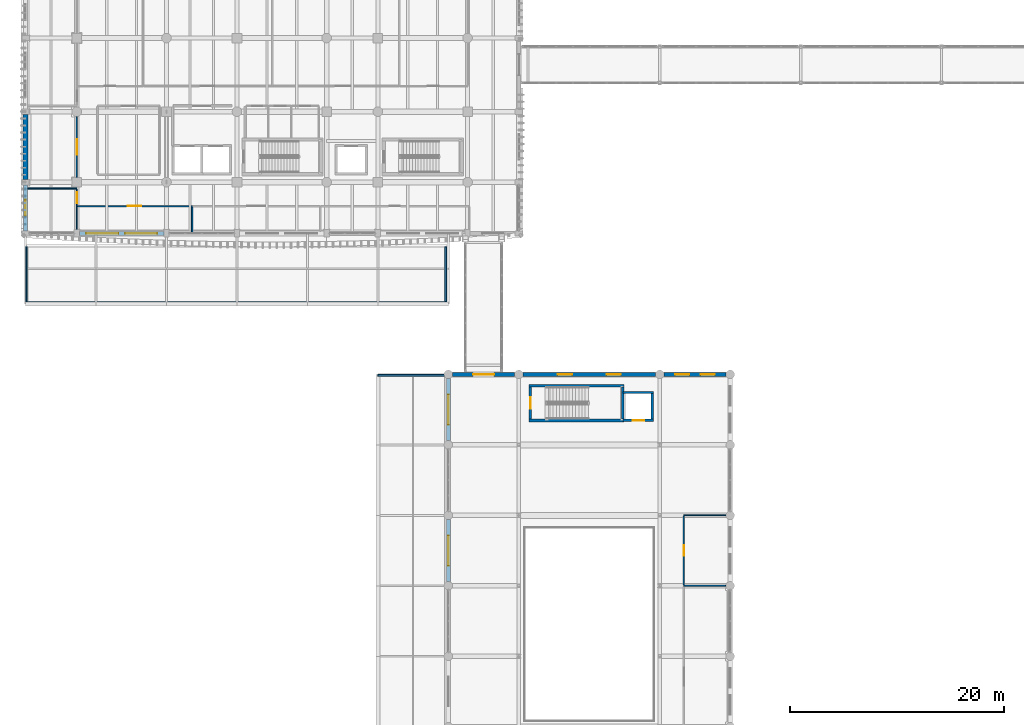
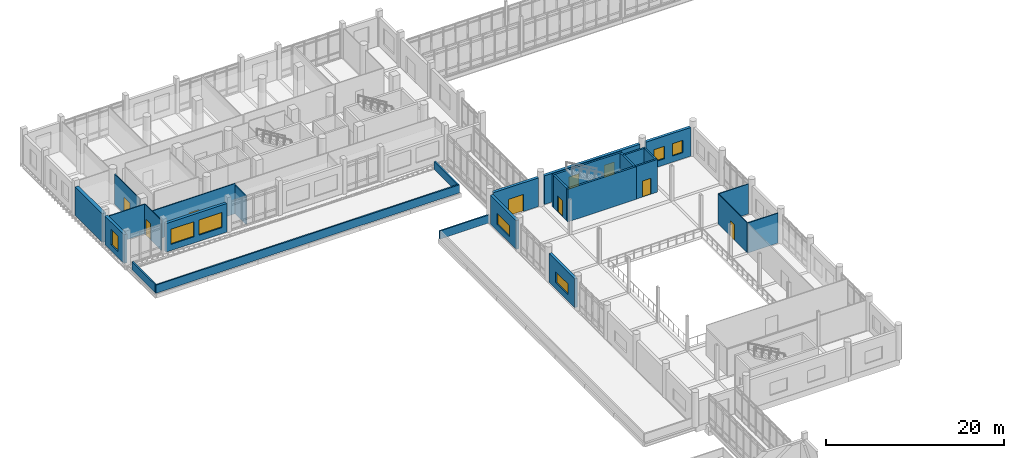
# One storey, part 90 of 125: 27 walls, 9 windows, 7 doors, 16 openings.
"""IFC4 building model written with IfcOpenShell, lengths in metres."""

from ifc_helpers import new_model, si_unit, direction, frame, frame_2d, origin, place, context, subcontext, project, spatial, rectangle, extrude, material, layer, layer_set, type_object, element, fill, save


model = new_model("IFC4")

# Units and contexts
model_context = context("Model", 3, precision=1e-05, world=origin(), true_north=direction((0.0, 1.0)))
body_context = subcontext(model_context, "Body", "Model", "MODEL_VIEW")
ifc_project = project(units=[si_unit("LENGTHUNIT", "METRE"), si_unit("AREAUNIT", "SQUARE_METRE"), si_unit("VOLUMEUNIT", "CUBIC_METRE"), si_unit("PLANEANGLEUNIT", "RADIAN"), si_unit("MASSUNIT", "GRAM", prefix="KILO")], contexts=[model_context])

# Site, building, storey
site_placement = place(None, origin())
site = spatial("IfcSite", under=ifc_project, at=site_placement, CompositionType="ELEMENT")
building_placement = place(site_placement, origin())
building = spatial("IfcBuilding", under=site, at=building_placement, Name="Dornvale Research Institute", CompositionType="ELEMENT")
storey_placement = place(building_placement, frame((0.0, 0.0, 5.39990234375)))
storey = spatial("IfcBuildingStorey", under=building, at=storey_placement, Name="L01", CompositionType="ELEMENT", Elevation=5.39990234375)

# Walls
ifc_material_1 = material(Name="Concrete f'c 40 MPa (C32/40)", Category="concrete")
ifc_layer_1 = layer(ifc_material_1, 0.179931640625)
ifc_layer_set_1 = layer_set([ifc_layer_1], Name="Concrete f'c 40 MPa (C32/40)")
wall_type_1 = type_object("IfcWallType", Name="Parapet_Terrace_180", PredefinedType="PARAPET", material=ifc_layer_set_1)
wall_1_placement = place(storey_placement, frame((0.0, 92.489990234375, 0.0), z_axis=(0.0, 0.0, 1.0), x_axis=(1.0, 0.0, 0.0)))
element("IfcWall", 1, at=wall_1_placement, inside=storey, type_object=wall_type_1, Name="L01 V6-N parapet S", PredefinedType="PARAPET", context=body_context, shape_type="SweptSolid", body=[
    extrude(rectangle(XDim=39.449951171875, YDim=0.179931640625, at=frame_2d((19.72509765625, 0.0))), origin(), (0.0, 0.0, 1.0), 1.1201171875),
])
for number, where, z_axis, x_axis, name in (
    (2, (0.090087890625, 92.580078125, 0.0), (0.0, 0.0, 1.0), (0.0, 1.0, 0.0), "L01 V6-N parapet W"),
    (3, (39.360107421875, 92.580078125, 0.0), (0.0, 0.0, 1.0), (0.0, 1.0, 0.0), "L01 V6-N parapet E"),
):
    element("IfcWall", number, at=place(storey_placement, frame(where, z_axis=z_axis, x_axis=x_axis)), inside=storey, type_object=wall_type_1, Name=name, PredefinedType="PARAPET", context=body_context, shape_type="SweptSolid", body=[
        extrude(rectangle(XDim=5.18994140625, YDim=0.179931640625, at=frame_2d((2.594970703125, 0.0))), origin(), (0.0, 0.0, 1.0), 1.1201171875),
    ])
wall_2_placement = place(storey_placement, frame((33.0, 85.7099609375, 0.0), z_axis=(0.0, 0.0, 1.0), x_axis=(1.0, 0.0, 0.0)))
element("IfcWall", 4, at=wall_2_placement, inside=storey, type_object=wall_type_1, Name="L01 V6-E parapet N", PredefinedType="PARAPET", context=body_context, shape_type="SweptSolid", body=[
    extrude(rectangle(XDim=6.449951171875, YDim=0.179931640625, at=frame_2d((3.22509765625, 0.0))), origin(), (0.0, 0.0, 1.0), 1.1201171875),
])
ifc_material_2 = material(Name="Acoustic Insulated Double-Stud Laboratory Partition")
ifc_layer_2 = layer(ifc_material_2, 0.1201171875)
ifc_layer_set_2 = layer_set([ifc_layer_2], Name="Acoustic Insulated Double-Stud Laboratory Partition")
wall_type_2 = type_object("IfcWallType", Name="Partition_Dry_120", PredefinedType="PARTITIONING", material=ifc_layer_set_2)
wall_3_placement = place(storey_placement, frame((0.195068359375, 103.199951171875, 0.0), z_axis=(0.0, 0.0, 1.0), x_axis=(1.0, 0.0, 0.0)))
element("IfcWall", 5, at=wall_3_placement, inside=storey, type_object=wall_type_2, Name="L01 V5 interior partition #159", PredefinedType="PARTITIONING", context=body_context, shape_type="SweptSolid", body=[
    extrude(rectangle(XDim=4.60498046875, YDim=0.1201171875, at=frame_2d((2.302490234375, 0.0))), origin(), (0.0, 0.0, 1.0), 4.080078125),
])

# Wall, opening, door
wall_4_placement = place(storey_placement, frame((4.800048828125, 104.27001953125, 0.0), z_axis=(0.0, 0.0, 1.0), x_axis=(0.0, 1.0, 0.0)))
wall_4 = element("IfcWall", 6, at=wall_4_placement, inside=storey, type_object=wall_type_2, Name="L01 V5 interior partition #161", PredefinedType="PARTITIONING", context=body_context, shape_type="SweptSolid", body=[
    extrude(rectangle(XDim=5.659912109375, YDim=0.1201171875, at=frame_2d((2.830078125, 0.0))), origin(), (0.0, 0.0, 1.0), 4.130126953125),
])
opening_1_placement = place(wall_4_placement, frame((2.110107421875, 0.0, 0.0)))
opening_1 = element("IfcOpeningElement", 7, at=opening_1_placement, cuts=wall_4, Name="Opening ID-07", PredefinedType="OPENING", context=body_context, shape_type="SweptSolid", body=[
    extrude(rectangle(XDim=1.43994140625, YDim=2.25, at=frame_2d((0.719970703125, 1.125))), frame((0.0, 0.074951171875, 0.0), z_axis=(0.0, -1.0, 0.0), x_axis=(1.0, 0.0, 0.0)), (0.0, 0.0, 1.0), 0.150146484375),
])
ifc_material_3 = material(Name="Insulated Fire-Rated Hollow Metal Door Assembly")
door_type_1 = type_object("IfcDoorType", Name="Door_DryLab_1440x2250", OperationType="SINGLE_SWING_LEFT", PredefinedType="DOOR", material=ifc_material_3)
door_1_placement = place(opening_1_placement, origin())
door_1 = element("IfcDoor", 8, at=door_1_placement, inside=storey, type_object=door_type_1, Name="L01 Bioinformatics Instrument Rack Alcove L01 door #65", OperationType="SINGLE_SWING_RIGHT", OverallHeight=2.25, OverallWidth=1.43994140625, PredefinedType="DOOR", context=body_context, shape_type="SweptSolid", body=[
    extrude(rectangle(XDim=1.43994140625, YDim=2.25, at=frame_2d((0.719970703125, 1.125))), frame((0.0, 0.02490234375, 0.0), z_axis=(0.0, -1.0, 0.0), x_axis=(1.0, 0.0, 0.0)), (0.0, 0.0, 1.0), 0.050048828125),
])
fill(opening_1, door_1)

wall_5_placement = place(storey_placement, frame((4.864990234375, 101.550048828125, 0.0), z_axis=(0.0, 0.0, 1.0), x_axis=(1.0, 0.0, 0.0)))
wall_5 = element("IfcWall", 9, at=wall_5_placement, inside=storey, type_object=wall_type_2, Name="L01 V5 interior partition #174", PredefinedType="PARTITIONING", context=body_context, shape_type="SweptSolid", body=[
    extrude(rectangle(XDim=10.735107421875, YDim=0.1201171875, at=frame_2d((5.36767578125, 0.0))), origin(), (0.0, 0.0, 1.0), 4.130126953125),
])
opening_2_placement = place(wall_5_placement, frame((4.705078125, 0.0, 0.0)))
opening_2 = element("IfcOpeningElement", 10, at=opening_2_placement, cuts=wall_5, Name="Opening ID-10", PredefinedType="OPENING", context=body_context, shape_type="SweptSolid", body=[
    extrude(rectangle(XDim=1.260009765625, YDim=2.199951171875, at=frame_2d((0.6298828125, 1.10009765625))), frame((0.0, 0.074951171875, 0.0), z_axis=(0.0, -1.0, 0.0), x_axis=(1.0, 0.0, 0.0)), (0.0, 0.0, 1.0), 0.150146484375),
])
ifc_material_4 = material(Name="Phenolic-Faced Solid-Core Laboratory Door Assembly")
door_type_2 = type_object("IfcDoorType", Name="Door_DryLab_1260x2200", OperationType="SINGLE_SWING_LEFT", PredefinedType="DOOR", material=ifc_material_4)
door_2_placement = place(opening_2_placement, origin())
door_2 = element("IfcDoor", 11, at=door_2_placement, inside=storey, type_object=door_type_2, Name="L01 Computational Genomics Laboratory door #72", OperationType="SINGLE_SWING_LEFT", OverallHeight=2.199951171875, OverallWidth=1.260009765625, PredefinedType="DOOR", context=body_context, shape_type="SweptSolid", body=[
    extrude(rectangle(XDim=1.260009765625, YDim=2.199951171875, at=frame_2d((0.6298828125, 1.10009765625))), frame((0.0, 0.02490234375, 0.0), z_axis=(0.0, -1.0, 0.0), x_axis=(1.0, 0.0, 0.0)), (0.0, 0.0, 1.0), 0.050048828125),
])
fill(opening_2, door_2)

# Walls
wall_6_placement = place(storey_placement, frame((15.60009765625, 99.0400390625, 0.0), z_axis=(0.0, 0.0, 1.0), x_axis=(0.0, 1.0, 0.0)))
element("IfcWall", 12, at=wall_6_placement, inside=storey, type_object=wall_type_2, Name="L01 V5 interior partition #175", PredefinedType="PARTITIONING", context=body_context, shape_type="SweptSolid", body=[
    extrude(rectangle(XDim=2.43505859375, YDim=0.1201171875, at=frame_2d((1.217529296875, 0.0))), origin(), (0.0, 0.0, 1.0), 3.93017578125),
])
wall_7_placement = place(storey_placement, frame((61.64990234375, 66.0, 0.0), z_axis=(0.0, 0.0, 1.0), x_axis=(1.0, 0.0, 0.0)))
element("IfcWall", 13, at=wall_7_placement, inside=storey, type_object=wall_type_2, Name="L01 V2 interior partition #228", PredefinedType="PARTITIONING", context=body_context, shape_type="SweptSolid", body=[
    extrude(rectangle(XDim=3.93017578125, YDim=0.1201171875, at=frame_2d((1.965087890625, 0.0))), origin(), (0.0, 0.0, 1.0), 4.130126953125),
])

# Wall, opening, door
ifc_material_5 = material(Name="Acoustic Insulated Double-Stud Laboratory Partition")
ifc_layer_3 = layer(ifc_material_5, 0.10009765625)
ifc_layer_set_3 = layer_set([ifc_layer_3], Name="Acoustic Insulated Double-Stud Laboratory Partition")
wall_type_3 = type_object("IfcWallType", Name="Partition_Office_100", PredefinedType="PARTITIONING", material=ifc_layer_set_3)
wall_8_placement = place(storey_placement, frame((4.800048828125, 99.3701171875, 0.0), z_axis=(0.0, 0.0, 1.0), x_axis=(0.0, 1.0, 0.0)))
wall_8 = element("IfcWall", 14, at=wall_8_placement, inside=storey, type_object=wall_type_3, Name="L01 V5 interior partition #173", PredefinedType="PARTITIONING", context=body_context, shape_type="SweptSolid", body=[
    extrude(rectangle(XDim=3.7548828125, YDim=0.10009765625, at=frame_2d((1.87744140625, 0.0))), origin(), (0.0, 0.0, 1.0), 4.130126953125),
])
opening_3_placement = place(wall_8_placement, frame((2.445068359375, 0.0, 0.0)))
opening_3 = element("IfcOpeningElement", 15, at=opening_3_placement, cuts=wall_8, Name="Opening ID-19", PredefinedType="OPENING", context=body_context, shape_type="SweptSolid", body=[
    extrude(rectangle(XDim=1.06005859375, YDim=2.199951171875, at=frame_2d((0.530029296875, 1.10009765625))), frame((0.0, 0.06494140625, 0.0), z_axis=(0.0, -1.0, 0.0), x_axis=(1.0, 0.0, 0.0)), (0.0, 0.0, 1.0), 0.130126953125),
])
ifc_material_6 = material(Name="Phenolic-Faced Solid-Core Laboratory Door Assembly")
door_type_3 = type_object("IfcDoorType", Name="Door_WriteUp_1060x2200", OperationType="SINGLE_SWING_LEFT", PredefinedType="DOOR", material=ifc_material_6)
door_3_placement = place(opening_3_placement, origin())
door_3 = element("IfcDoor", 16, at=door_3_placement, inside=storey, type_object=door_type_3, Name="L01 Research Instrument Study L01 door #71", OperationType="SINGLE_SWING_RIGHT", OverallHeight=2.199951171875, OverallWidth=1.06005859375, PredefinedType="DOOR", context=body_context, shape_type="SweptSolid", body=[
    extrude(rectangle(XDim=1.06005859375, YDim=2.199951171875, at=frame_2d((0.530029296875, 1.10009765625))), frame((0.0, 0.02490234375, 0.0), z_axis=(0.0, -1.0, 0.0), x_axis=(1.0, 0.0, 0.0)), (0.0, 0.0, 1.0), 0.050048828125),
])
fill(opening_3, door_3)

# Wall
wall_9_placement = place(storey_placement, frame((61.64990234375, 72.60009765625, 0.0), z_axis=(0.0, 0.0, 1.0), x_axis=(1.0, 0.0, 0.0)))
element("IfcWall", 17, at=wall_9_placement, inside=storey, type_object=wall_type_3, Name="L01 V2 interior partition #230", PredefinedType="PARTITIONING", context=body_context, shape_type="SweptSolid", body=[
    extrude(rectangle(XDim=3.93017578125, YDim=0.10009765625, at=frame_2d((1.965087890625, 0.0))), origin(), (0.0, 0.0, 1.0), 4.130126953125),
])

# Wall, opening, door
wall_10_placement = place(storey_placement, frame((61.64990234375, 66.074951171875, 0.0), z_axis=(0.0, 0.0, 1.0), x_axis=(0.0, 1.0, 0.0)))
wall_10 = element("IfcWall", 18, at=wall_10_placement, inside=storey, type_object=wall_type_3, Name="L01 V2 interior partition #231", PredefinedType="PARTITIONING", context=body_context, shape_type="SweptSolid", body=[
    extrude(rectangle(XDim=6.4599609375, YDim=0.10009765625, at=frame_2d((3.22998046875, 0.0))), origin(), (0.0, 0.0, 1.0), 4.130126953125),
])
opening_4_placement = place(wall_10_placement, frame((2.72509765625, 0.0, 0.0)))
opening_4 = element("IfcOpeningElement", 19, at=opening_4_placement, cuts=wall_10, Name="Opening ID-24", PredefinedType="OPENING", context=body_context, shape_type="SweptSolid", body=[
    extrude(rectangle(XDim=1.0, YDim=2.14990234375, at=frame_2d((0.5, 1.074951171875))), frame((0.0, 0.06494140625, 0.0), z_axis=(0.0, -1.0, 0.0), x_axis=(1.0, 0.0, 0.0)), (0.0, 0.0, 1.0), 0.130126953125),
])
ifc_material_7 = material(Name="Phenolic-Faced Solid-Core Laboratory Door Assembly")
door_type_4 = type_object("IfcDoorType", Name="Door_AccWC_1000x2150", OperationType="SINGLE_SWING_LEFT", PredefinedType="DOOR", material=ifc_material_7)
door_4_placement = place(opening_4_placement, origin())
door_4 = element("IfcDoor", 20, at=door_4_placement, inside=storey, type_object=door_type_4, Name="L01 Atrium Accessible Restroom L01 door #92", OperationType="SINGLE_SWING_LEFT", OverallHeight=2.14990234375, OverallWidth=1.0, PredefinedType="DOOR", context=body_context, shape_type="SweptSolid", body=[
    extrude(rectangle(XDim=1.0, YDim=2.14990234375, at=frame_2d((0.5, 1.074951171875))), frame((0.0, 0.02490234375, 0.0), z_axis=(0.0, -1.0, 0.0), x_axis=(1.0, 0.0, 0.0)), (0.0, 0.0, 1.0), 0.050048828125),
])
fill(opening_4, door_4)

# Walls
ifc_material_8 = material(Name="Concrete f'c 45 MPa (C35/45)", Category="concrete")
ifc_layer_4 = layer(ifc_material_8, 0.25)
ifc_layer_set_4 = layer_set([ifc_layer_4], Name="Concrete f'c 45 MPa (C35/45)")
wall_type_4 = type_object("IfcWallType", Name="ShearWall_Core_250", PredefinedType="SHEAR", material=ifc_layer_set_4)
for number, where, z_axis, x_axis, name in (
    (21, (47.14990234375, 81.47509765625, 0.0), (0.0, 0.0, 1.0), (1.0, 0.0, 0.0), "L01 ST-8 shaft shear wall south"),
    (22, (47.14990234375, 84.72509765625, 0.0), (0.0, 0.0, 1.0), (1.0, 0.0, 0.0), "L01 ST-8 shaft shear wall north"),
):
    element("IfcWall", number, at=place(storey_placement, frame(where, z_axis=z_axis, x_axis=x_axis)), inside=storey, type_object=wall_type_4, Name=name, PredefinedType="SHEAR", context=body_context, shape_type="SweptSolid", body=[
        extrude(rectangle(XDim=8.900146484375, YDim=0.25, at=frame_2d((4.4501953125, 0.0))), origin(), (0.0, 0.0, 1.0), 4.5),
    ])

# Wall, opening, door
wall_11_placement = place(storey_placement, frame((47.27490234375, 81.60009765625, 0.0), z_axis=(0.0, 0.0, 1.0), x_axis=(0.0, 1.0, 0.0)))
wall_11 = element("IfcWall", 23, at=wall_11_placement, inside=storey, type_object=wall_type_4, Name="L01 ST-8 shaft shear wall west", PredefinedType="SHEAR", context=body_context, shape_type="SweptSolid", body=[
    extrude(rectangle(XDim=3.0, YDim=0.25, at=frame_2d((1.5, 0.0))), origin(), (0.0, 0.0, 1.0), 4.5),
])
opening_5_placement = place(wall_11_placement, frame((0.9599609375, 0.0, 0.0)))
opening_5 = element("IfcOpeningElement", 24, at=opening_5_placement, cuts=wall_11, Name="Opening SD-02", PredefinedType="OPENING", context=body_context, shape_type="SweptSolid", body=[
    extrude(rectangle(XDim=1.080078125, YDim=2.199951171875, at=frame_2d((0.5400390625, 1.10009765625))), frame((0.0, 0.139892578125, 0.0), z_axis=(0.0, -1.0, 0.0), x_axis=(1.0, 0.0, 0.0)), (0.0, 0.0, 1.0), 0.280029296875),
])
ifc_material_9 = material(Name="Insulated Fire-Rated Hollow Metal Door Assembly")
door_type_5 = type_object("IfcDoorType", Name="Door_Stair_1080x2200", OperationType="SINGLE_SWING_LEFT", PredefinedType="DOOR", material=ifc_material_9)
door_5_placement = place(opening_5_placement, origin())
door_5 = element("IfcDoor", 25, at=door_5_placement, inside=storey, type_object=door_type_5, Name="L01 ST-8 exit stair door #56", OperationType="SINGLE_SWING_RIGHT", OverallHeight=2.199951171875, OverallWidth=1.080078125, PredefinedType="DOOR", context=body_context, shape_type="SweptSolid", body=[
    extrude(rectangle(XDim=1.080078125, YDim=2.199951171875, at=frame_2d((0.5400390625, 1.10009765625))), frame((0.0, 0.02490234375, 0.0), z_axis=(0.0, -1.0, 0.0), x_axis=(1.0, 0.0, 0.0)), (0.0, 0.0, 1.0), 0.050048828125),
])
fill(opening_5, door_5)

# Wall
wall_12_placement = place(storey_placement, frame((55.925048828125, 81.60009765625, 0.0), z_axis=(0.0, 0.0, 1.0), x_axis=(0.0, 1.0, 0.0)))
element("IfcWall", 26, at=wall_12_placement, inside=storey, type_object=wall_type_4, Name="L01 ST-8 shaft shear wall east", PredefinedType="SHEAR", context=body_context, shape_type="SweptSolid", body=[
    extrude(rectangle(XDim=3.0, YDim=0.25, at=frame_2d((1.5, 0.0))), origin(), (0.0, 0.0, 1.0), 4.5),
])

# Wall, opening, door
ifc_material_10 = material(Name="Concrete f'c 45 MPa (C35/45)", Category="concrete")
ifc_layer_5 = layer(ifc_material_10, 0.219970703125)
ifc_layer_set_5 = layer_set([ifc_layer_5], Name="Concrete f'c 45 MPa (C35/45)")
wall_type_5 = type_object("IfcWallType", Name="ShearWall_Shaft_220", PredefinedType="SHEAR", material=ifc_layer_set_5)
wall_13_placement = place(storey_placement, frame((55.97998046875, 81.489990234375, 0.0), z_axis=(0.0, 0.0, 1.0), x_axis=(1.0, 0.0, 0.0)))
wall_13 = element("IfcWall", 27, at=wall_13_placement, inside=storey, type_object=wall_type_5, Name="L01 LP3 elevator shaft wall south", PredefinedType="SHEAR", context=body_context, shape_type="SweptSolid", body=[
    extrude(rectangle(XDim=2.840087890625, YDim=0.219970703125, at=frame_2d((1.419921875, 0.0))), origin(), (0.0, 0.0, 1.0), 4.5),
])
opening_6_placement = place(wall_13_placement, frame((0.8701171875, 0.0, 0.0)))
opening_6 = element("IfcOpeningElement", 28, at=opening_6_placement, cuts=wall_13, Name="Opening LD-02", PredefinedType="OPENING", context=body_context, shape_type="SweptSolid", body=[
    extrude(rectangle(XDim=1.10009765625, YDim=2.199951171875, at=frame_2d((0.550048828125, 1.10009765625))), frame((0.0, 0.125, 0.0), z_axis=(0.0, -1.0, 0.0), x_axis=(1.0, 0.0, 0.0)), (0.0, 0.0, 1.0), 0.25),
])
ifc_material_11 = material(Name="Brushed Stainless Steel Sliding Elevator Landing Door", Category="steel")
door_type_6 = type_object("IfcDoorType", Name="Door_LiftLanding_Pass_1100x2200", OperationType="SINGLE_SWING_LEFT", PredefinedType="DOOR", material=ifc_material_11)
door_6_placement = place(opening_6_placement, origin())
door_6 = element("IfcDoor", 29, at=door_6_placement, inside=storey, type_object=door_type_6, Name="L01 LP3 sliding elevator landing door #59", OperationType="SLIDING_TO_LEFT", OverallHeight=2.199951171875, OverallWidth=1.10009765625, PredefinedType="DOOR", context=body_context, shape_type="SweptSolid", body=[
    extrude(rectangle(XDim=1.10009765625, YDim=2.199951171875, at=frame_2d((0.550048828125, 1.10009765625))), frame((0.0, 0.02490234375, 0.0), z_axis=(0.0, -1.0, 0.0), x_axis=(1.0, 0.0, 0.0)), (0.0, 0.0, 1.0), 0.050048828125),
])
fill(opening_6, door_6)

# Walls
wall_14_placement = place(storey_placement, frame((55.97998046875, 84.110107421875, 0.0), z_axis=(0.0, 0.0, 1.0), x_axis=(1.0, 0.0, 0.0)))
element("IfcWall", 30, at=wall_14_placement, inside=storey, type_object=wall_type_5, Name="L01 LP3 elevator shaft wall north", PredefinedType="SHEAR", context=body_context, shape_type="SweptSolid", body=[
    extrude(rectangle(XDim=2.840087890625, YDim=0.219970703125, at=frame_2d((1.419921875, 0.0))), origin(), (0.0, 0.0, 1.0), 4.5),
])
wall_15_placement = place(storey_placement, frame((58.7099609375, 81.60009765625, 0.0), z_axis=(0.0, 0.0, 1.0), x_axis=(0.0, 1.0, 0.0)))
element("IfcWall", 31, at=wall_15_placement, inside=storey, type_object=wall_type_5, Name="L01 LP3 elevator shaft wall east", PredefinedType="SHEAR", context=body_context, shape_type="SweptSolid", body=[
    extrude(rectangle(XDim=2.39990234375, YDim=0.219970703125, at=frame_2d((1.199951171875, 0.0))), origin(), (0.0, 0.0, 1.0), 4.5),
])
ifc_material_12 = material(Name="Precast Concrete f'c 40 MPa (C32/40) and Glazed Terracotta Backup Wall", Category="masonry")
ifc_layer_6 = layer(ifc_material_12, 0.449951171875)
ifc_layer_set_6 = layer_set([ifc_layer_6], Name="Precast Concrete f'c 40 MPa (C32/40) and Glazed Terracotta Backup Wall")
wall_type_6 = type_object("IfcWallType", Name="SolidWall_ShearBraceBay_450", PredefinedType="SOLIDWALL", material=ifc_layer_set_6)
wall_16_placement = place(storey_placement, frame((0.0, 104.050048828125, 0.0), z_axis=(0.0, 0.0, 1.0), x_axis=(0.0, 1.0, 0.0)))
element("IfcWall", 32, at=wall_16_placement, inside=storey, type_object=wall_type_6, Name="L01 V5 west exterior wall #304", PredefinedType="SOLIDWALL", context=body_context, shape_type="SweptSolid", body=[
    extrude(rectangle(XDim=6.099853515625, YDim=0.449951171875, at=frame_2d((3.0498046875, 0.0))), origin(), (0.0, 0.0, 1.0), 3.9501953125),
])

# Wall, opening, window
ifc_material_13 = material(Name="Catalan Pressed Brick and Insulated Cavity Assembly", Category="masonry")
ifc_layer_7 = layer(ifc_material_13, 0.360107421875)
ifc_layer_set_7 = layer_set([ifc_layer_7], Name="Catalan Pressed Brick and Insulated Cavity Assembly")
wall_type_7 = type_object("IfcWallType", Name="StandardWall_BrickCavity_360", PredefinedType="STANDARD", material=ifc_layer_set_7)
wall_17_placement = place(storey_placement, frame((39.60009765625, 66.39501953125, 0.0), z_axis=(0.0, 0.0, 1.0), x_axis=(0.0, 1.0, 0.0)))
wall_17 = element("IfcWall", 33, at=wall_17_placement, inside=storey, type_object=wall_type_7, Name="L01 V2 west exterior wall #68", PredefinedType="STANDARD", context=body_context, shape_type="SweptSolid", body=[
    extrude(rectangle(XDim=5.81005859375, YDim=0.360107421875, at=frame_2d((2.905029296875, 0.0))), origin(), (0.0, 0.0, 1.0), 3.9501953125),
])
opening_7_placement = place(wall_17_placement, frame((1.5048828125, 0.0, 0.85009765625)))
opening_7 = element("IfcOpeningElement", 34, at=opening_7_placement, cuts=wall_17, Name="Opening W-11", PredefinedType="OPENING", context=body_context, shape_type="SweptSolid", body=[
    extrude(rectangle(XDim=2.800048828125, YDim=1.5, at=frame_2d((1.39990234375, 0.75))), frame((0.0, 0.195068359375, 0.0), z_axis=(0.0, -1.0, 0.0), x_axis=(1.0, 0.0, 0.0)), (0.0, 0.0, 1.0), 0.39013671875),
])
ifc_material_14 = material(Name="Low-E Argon Double Insulating Glazing Unit", Category="glass")
window_type_1 = type_object("IfcWindowType", Name="Window_Alu_2800x1500_11", PartitioningType="DOUBLE_PANEL_VERTICAL", PredefinedType="WINDOW", material=ifc_material_14)
window_1_placement = place(opening_7_placement, origin())
window_1 = element("IfcWindow", 35, at=window_1_placement, inside=storey, type_object=window_type_1, Name="L01 V2 facade window W-11 #82", OverallHeight=1.5, OverallWidth=2.800048828125, PartitioningType="DOUBLE_PANEL_VERTICAL", PredefinedType="WINDOW", context=body_context, shape_type="SweptSolid", body=[
    extrude(rectangle(XDim=2.800048828125, YDim=1.5, at=frame_2d((1.39990234375, 0.75))), frame((0.0, 0.030029296875, 0.0), z_axis=(0.0, -1.0, 0.0), x_axis=(1.0, 0.0, 0.0)), (0.0, 0.0, 1.0), 0.06005859375),
])
fill(opening_7, window_1)

wall_18_placement = place(storey_placement, frame((39.60009765625, 79.594970703125, 0.0), z_axis=(0.0, 0.0, 1.0), x_axis=(0.0, 1.0, 0.0)))
wall_18 = element("IfcWall", 36, at=wall_18_placement, inside=storey, type_object=wall_type_7, Name="L01 V2 west exterior wall #69", PredefinedType="STANDARD", context=body_context, shape_type="SweptSolid", body=[
    extrude(rectangle(XDim=5.81005859375, YDim=0.360107421875, at=frame_2d((2.905029296875, 0.0))), origin(), (0.0, 0.0, 1.0), 3.9501953125),
])
opening_8_placement = place(wall_18_placement, frame((1.5048828125, 0.0, 0.85009765625)))
opening_8 = element("IfcOpeningElement", 37, at=opening_8_placement, cuts=wall_18, Name="Opening W-11", PredefinedType="OPENING", context=body_context, shape_type="SweptSolid", body=[
    extrude(rectangle(XDim=2.800048828125, YDim=1.5, at=frame_2d((1.39990234375, 0.75))), frame((0.0, 0.195068359375, 0.0), z_axis=(0.0, -1.0, 0.0), x_axis=(1.0, 0.0, 0.0)), (0.0, 0.0, 1.0), 0.39013671875),
])
window_2_placement = place(opening_8_placement, origin())
window_2 = element("IfcWindow", 38, at=window_2_placement, inside=storey, type_object=window_type_1, Name="L01 V2 facade window W-11 #83", OverallHeight=1.5, OverallWidth=2.800048828125, PartitioningType="DOUBLE_PANEL_VERTICAL", PredefinedType="WINDOW", context=body_context, shape_type="SweptSolid", body=[
    extrude(rectangle(XDim=2.800048828125, YDim=1.5, at=frame_2d((1.39990234375, 0.75))), frame((0.0, 0.030029296875, 0.0), z_axis=(0.0, -1.0, 0.0), x_axis=(1.0, 0.0, 0.0)), (0.0, 0.0, 1.0), 0.06005859375),
])
fill(opening_8, window_2)

# Wall, opening, door
wall_19_placement = place(storey_placement, frame((39.9951171875, 85.800048828125, 0.0), z_axis=(0.0, 0.0, 1.0), x_axis=(1.0, 0.0, 0.0)))
wall_19 = element("IfcWall", 39, at=wall_19_placement, inside=storey, type_object=wall_type_7, Name="L01 V2 north exterior wall #70", PredefinedType="STANDARD", context=body_context, shape_type="SweptSolid", body=[
    extrude(rectangle(XDim=5.809814453125, YDim=0.360107421875, at=frame_2d((2.90478515625, 0.0))), origin(), (0.0, 0.0, 1.0), 3.9501953125),
])
opening_9_placement = place(wall_19_placement, frame((1.929931640625, 0.0, 0.0)))
opening_9 = element("IfcOpeningElement", 40, at=opening_9_placement, cuts=wall_19, Name="Opening BD-01", PredefinedType="OPENING", context=body_context, shape_type="SweptSolid", body=[
    extrude(rectangle(XDim=1.949951171875, YDim=2.35009765625, at=frame_2d((0.97509765625, 1.175048828125))), frame((0.0, 0.195068359375, 0.0), z_axis=(0.0, -1.0, 0.0), x_axis=(1.0, 0.0, 0.0)), (0.0, 0.0, 1.0), 0.39013671875),
])
ifc_material_15 = material(Name="Galvanized Hollow Metal Insulated Door Assembly")
door_type_7 = type_object("IfcDoorType", Name="Door_BridgeJoint_1950x2350", OperationType="SINGLE_SWING_LEFT", PredefinedType="DOOR", material=ifc_material_15)
door_7_placement = place(opening_9_placement, origin())
door_7 = element("IfcDoor", 41, at=door_7_placement, inside=storey, type_object=door_type_7, Name="L01 V2 skybridge door BD-01 #10", OperationType="DOUBLE_DOOR_SINGLE_SWING", OverallHeight=2.35009765625, OverallWidth=1.949951171875, PredefinedType="DOOR", context=body_context, shape_type="SweptSolid", body=[
    extrude(rectangle(XDim=1.949951171875, YDim=2.35009765625, at=frame_2d((0.97509765625, 1.175048828125))), frame((0.0, 0.02490234375, 0.0), z_axis=(0.0, -1.0, 0.0), x_axis=(1.0, 0.0, 0.0)), (0.0, 0.0, 1.0), 0.050048828125),
])
fill(opening_9, door_7)

# Wall, openings, windows
wall_20_placement = place(storey_placement, frame((46.594970703125, 85.800048828125, 0.0), z_axis=(0.0, 0.0, 1.0), x_axis=(1.0, 0.0, 0.0)))
wall_20 = element("IfcWall", 42, at=wall_20_placement, inside=storey, type_object=wall_type_7, Name="L01 V2 north exterior wall #71", PredefinedType="STANDARD", context=body_context, shape_type="SweptSolid", body=[
    extrude(rectangle(XDim=12.409912109375, YDim=0.360107421875, at=frame_2d((6.205078125, 0.0))), origin(), (0.0, 0.0, 1.0), 3.9501953125),
])
opening_10_placement = place(wall_20_placement, frame((3.23681640625, 0.0, 0.85009765625)))
opening_10 = element("IfcOpeningElement", 43, at=opening_10_placement, cuts=wall_20, Name="Opening W-14", PredefinedType="OPENING", context=body_context, shape_type="SweptSolid", body=[
    extrude(rectangle(XDim=1.35009765625, YDim=1.699951171875, at=frame_2d((0.675048828125, 0.85009765625))), frame((0.0, 0.195068359375, 0.0), z_axis=(0.0, -1.0, 0.0), x_axis=(1.0, 0.0, 0.0)), (0.0, 0.0, 1.0), 0.39013671875),
])
opening_11_placement = place(wall_20_placement, frame((7.823486328125, 0.0, 0.85009765625)))
opening_11 = element("IfcOpeningElement", 44, at=opening_11_placement, cuts=wall_20, Name="Opening W-14", PredefinedType="OPENING", context=body_context, shape_type="SweptSolid", body=[
    extrude(rectangle(XDim=1.35009765625, YDim=1.699951171875, at=frame_2d((0.675048828125, 0.85009765625))), frame((0.0, 0.195068359375, 0.0), z_axis=(0.0, -1.0, 0.0), x_axis=(1.0, 0.0, 0.0)), (0.0, 0.0, 1.0), 0.39013671875),
])
ifc_material_16 = material(Name="Low-E Argon Double Insulating Glazing Unit", Category="glass")
window_type_2 = type_object("IfcWindowType", Name="Window_Alu_1350x1700_14", PartitioningType="SINGLE_PANEL", PredefinedType="WINDOW", material=ifc_material_16)
window_3_placement = place(opening_10_placement, origin())
window_3 = element("IfcWindow", 45, at=window_3_placement, inside=storey, type_object=window_type_2, Name="L01 V2 facade window W-14 #84", OverallHeight=1.699951171875, OverallWidth=1.35009765625, PartitioningType="SINGLE_PANEL", PredefinedType="WINDOW", context=body_context, shape_type="SweptSolid", body=[
    extrude(rectangle(XDim=1.35009765625, YDim=1.699951171875, at=frame_2d((0.675048828125, 0.85009765625))), frame((0.0, 0.030029296875, 0.0), z_axis=(0.0, -1.0, 0.0), x_axis=(1.0, 0.0, 0.0)), (0.0, 0.0, 1.0), 0.06005859375),
])
fill(opening_10, window_3)
window_4_placement = place(opening_11_placement, origin())
window_4 = element("IfcWindow", 46, at=window_4_placement, inside=storey, type_object=window_type_2, Name="L01 V2 facade window W-14 #85", OverallHeight=1.699951171875, OverallWidth=1.35009765625, PartitioningType="SINGLE_PANEL", PredefinedType="WINDOW", context=body_context, shape_type="SweptSolid", body=[
    extrude(rectangle(XDim=1.35009765625, YDim=1.699951171875, at=frame_2d((0.675048828125, 0.85009765625))), frame((0.0, 0.030029296875, 0.0), z_axis=(0.0, -1.0, 0.0), x_axis=(1.0, 0.0, 0.0)), (0.0, 0.0, 1.0), 0.06005859375),
])
fill(opening_11, window_4)

wall_21_placement = place(storey_placement, frame((59.794921875, 85.800048828125, 0.0), z_axis=(0.0, 0.0, 1.0), x_axis=(1.0, 0.0, 0.0)))
wall_21 = element("IfcWall", 47, at=wall_21_placement, inside=storey, type_object=wall_type_7, Name="L01 V2 north exterior wall #72", PredefinedType="STANDARD", context=body_context, shape_type="SweptSolid", body=[
    extrude(rectangle(XDim=5.81005859375, YDim=0.360107421875, at=frame_2d((2.905029296875, 0.0))), origin(), (0.0, 0.0, 1.0), 3.9501953125),
])
opening_12_placement = place(wall_21_placement, frame((1.03662109375, 0.0, 0.85009765625)))
opening_12 = element("IfcOpeningElement", 48, at=opening_12_placement, cuts=wall_21, Name="Opening W-14", PredefinedType="OPENING", context=body_context, shape_type="SweptSolid", body=[
    extrude(rectangle(XDim=1.35009765625, YDim=1.699951171875, at=frame_2d((0.675048828125, 0.85009765625))), frame((0.0, 0.195068359375, 0.0), z_axis=(0.0, -1.0, 0.0), x_axis=(1.0, 0.0, 0.0)), (0.0, 0.0, 1.0), 0.39013671875),
])
opening_13_placement = place(wall_21_placement, frame((3.42333984375, 0.0, 0.85009765625)))
opening_13 = element("IfcOpeningElement", 49, at=opening_13_placement, cuts=wall_21, Name="Opening W-14", PredefinedType="OPENING", context=body_context, shape_type="SweptSolid", body=[
    extrude(rectangle(XDim=1.35009765625, YDim=1.699951171875, at=frame_2d((0.675048828125, 0.85009765625))), frame((0.0, 0.195068359375, 0.0), z_axis=(0.0, -1.0, 0.0), x_axis=(1.0, 0.0, 0.0)), (0.0, 0.0, 1.0), 0.39013671875),
])
window_5_placement = place(opening_12_placement, origin())
window_5 = element("IfcWindow", 50, at=window_5_placement, inside=storey, type_object=window_type_2, Name="L01 V2 facade window W-14 #86", OverallHeight=1.699951171875, OverallWidth=1.35009765625, PartitioningType="SINGLE_PANEL", PredefinedType="WINDOW", context=body_context, shape_type="SweptSolid", body=[
    extrude(rectangle(XDim=1.35009765625, YDim=1.699951171875, at=frame_2d((0.675048828125, 0.85009765625))), frame((0.0, 0.030029296875, 0.0), z_axis=(0.0, -1.0, 0.0), x_axis=(1.0, 0.0, 0.0)), (0.0, 0.0, 1.0), 0.06005859375),
])
fill(opening_12, window_5)
window_6_placement = place(opening_13_placement, origin())
window_6 = element("IfcWindow", 51, at=window_6_placement, inside=storey, type_object=window_type_2, Name="L01 V2 facade window W-14 #87", OverallHeight=1.699951171875, OverallWidth=1.35009765625, PartitioningType="SINGLE_PANEL", PredefinedType="WINDOW", context=body_context, shape_type="SweptSolid", body=[
    extrude(rectangle(XDim=1.35009765625, YDim=1.699951171875, at=frame_2d((0.675048828125, 0.85009765625))), frame((0.0, 0.030029296875, 0.0), z_axis=(0.0, -1.0, 0.0), x_axis=(1.0, 0.0, 0.0)), (0.0, 0.0, 1.0), 0.06005859375),
])
fill(opening_13, window_6)

# Wall, opening, window
wall_22_placement = place(storey_placement, frame((0.0, 99.25, 0.0), z_axis=(0.0, 0.0, 1.0), x_axis=(0.0, 1.0, 0.0)))
wall_22 = element("IfcWall", 52, at=wall_22_placement, inside=storey, type_object=wall_type_7, Name="L01 V5 west exterior wall #303", PredefinedType="STANDARD", context=body_context, shape_type="SweptSolid", body=[
    extrude(rectangle(XDim=4.300048828125, YDim=0.360107421875, at=frame_2d((2.14990234375, 0.0))), origin(), (0.0, 0.0, 1.0), 3.9501953125),
])
opening_14_placement = place(wall_22_placement, frame((1.39990234375, 0.0, 0.85009765625)))
opening_14 = element("IfcOpeningElement", 53, at=opening_14_placement, cuts=wall_22, Name="Opening W-39", PredefinedType="OPENING", context=body_context, shape_type="SweptSolid", body=[
    extrude(rectangle(XDim=1.5, YDim=2.080078125, at=frame_2d((0.75, 1.0400390625))), frame((0.0, 0.195068359375, 0.0), z_axis=(0.0, -1.0, 0.0), x_axis=(1.0, 0.0, 0.0)), (0.0, 0.0, 1.0), 0.39013671875),
])
ifc_material_17 = material(Name="Low-E Argon Double Insulating Glazing Unit", Category="glass")
window_type_3 = type_object("IfcWindowType", Name="Window_Alu_1500x2080_39", PartitioningType="SINGLE_PANEL", PredefinedType="WINDOW", material=ifc_material_17)
window_7_placement = place(opening_14_placement, origin())
window_7 = element("IfcWindow", 54, at=window_7_placement, inside=storey, type_object=window_type_3, Name="L01 V5 facade window W-39 #416", OverallHeight=2.080078125, OverallWidth=1.5, PartitioningType="SINGLE_PANEL", PredefinedType="WINDOW", context=body_context, shape_type="SweptSolid", body=[
    extrude(rectangle(XDim=1.5, YDim=2.080078125, at=frame_2d((0.75, 1.0400390625))), frame((0.0, 0.030029296875, 0.0), z_axis=(0.0, -1.0, 0.0), x_axis=(1.0, 0.0, 0.0)), (0.0, 0.0, 1.0), 0.06005859375),
])
fill(opening_14, window_7)

# Wall, openings, windows
wall_23_placement = place(storey_placement, frame((12.949951171875, 99.0, 0.0), z_axis=(0.0, 0.0, 1.0), x_axis=(-1.0, 0.0, 0.0)))
wall_23 = element("IfcWall", 55, at=wall_23_placement, inside=storey, type_object=wall_type_7, Name="L01 V5 south exterior wall #317", PredefinedType="STANDARD", context=body_context, shape_type="SweptSolid", body=[
    extrude(rectangle(XDim=7.89990234375, YDim=0.360107421875, at=frame_2d((3.949951171875, 0.0))), origin(), (0.0, 0.0, 1.0), 3.93017578125),
])
opening_15_placement = place(wall_23_placement, frame((0.63330078125, 0.0, 0.85009765625)))
opening_15 = element("IfcOpeningElement", 56, at=opening_15_placement, cuts=wall_23, Name="Opening W-48", PredefinedType="OPENING", context=body_context, shape_type="SweptSolid", body=[
    extrude(rectangle(XDim=3.0, YDim=2.080078125, at=frame_2d((1.5, 1.0400390625))), frame((0.0, 0.195068359375, 0.0), z_axis=(0.0, -1.0, 0.0), x_axis=(1.0, 0.0, 0.0)), (0.0, 0.0, 1.0), 0.39013671875),
])
opening_16_placement = place(wall_23_placement, frame((4.2666015625, 0.0, 0.85009765625)))
opening_16 = element("IfcOpeningElement", 57, at=opening_16_placement, cuts=wall_23, Name="Opening W-48", PredefinedType="OPENING", context=body_context, shape_type="SweptSolid", body=[
    extrude(rectangle(XDim=3.0, YDim=2.080078125, at=frame_2d((1.5, 1.0400390625))), frame((0.0, 0.195068359375, 0.0), z_axis=(0.0, -1.0, 0.0), x_axis=(1.0, 0.0, 0.0)), (0.0, 0.0, 1.0), 0.39013671875),
])
ifc_material_18 = material(Name="Low-E Argon Double Insulating Glazing Unit", Category="glass")
window_type_4 = type_object("IfcWindowType", Name="Window_Alu_3000x2080_48", PartitioningType="DOUBLE_PANEL_VERTICAL", PredefinedType="WINDOW", material=ifc_material_18)
window_8_placement = place(opening_15_placement, origin())
window_8 = element("IfcWindow", 58, at=window_8_placement, inside=storey, type_object=window_type_4, Name="L01 V5 facade window W-48 #431", OverallHeight=2.080078125, OverallWidth=3.0, PartitioningType="DOUBLE_PANEL_VERTICAL", PredefinedType="WINDOW", context=body_context, shape_type="SweptSolid", body=[
    extrude(rectangle(XDim=3.0, YDim=2.080078125, at=frame_2d((1.5, 1.0400390625))), frame((0.0, 0.030029296875, 0.0), z_axis=(0.0, -1.0, 0.0), x_axis=(1.0, 0.0, 0.0)), (0.0, 0.0, 1.0), 0.06005859375),
])
fill(opening_15, window_8)
window_9_placement = place(opening_16_placement, origin())
window_9 = element("IfcWindow", 59, at=window_9_placement, inside=storey, type_object=window_type_4, Name="L01 V5 facade window W-48 #432", OverallHeight=2.080078125, OverallWidth=3.0, PartitioningType="DOUBLE_PANEL_VERTICAL", PredefinedType="WINDOW", context=body_context, shape_type="SweptSolid", body=[
    extrude(rectangle(XDim=3.0, YDim=2.080078125, at=frame_2d((1.5, 1.0400390625))), frame((0.0, 0.030029296875, 0.0), z_axis=(0.0, -1.0, 0.0), x_axis=(1.0, 0.0, 0.0)), (0.0, 0.0, 1.0), 0.06005859375),
])
fill(opening_16, window_9)

save(model, "model.ifc")
